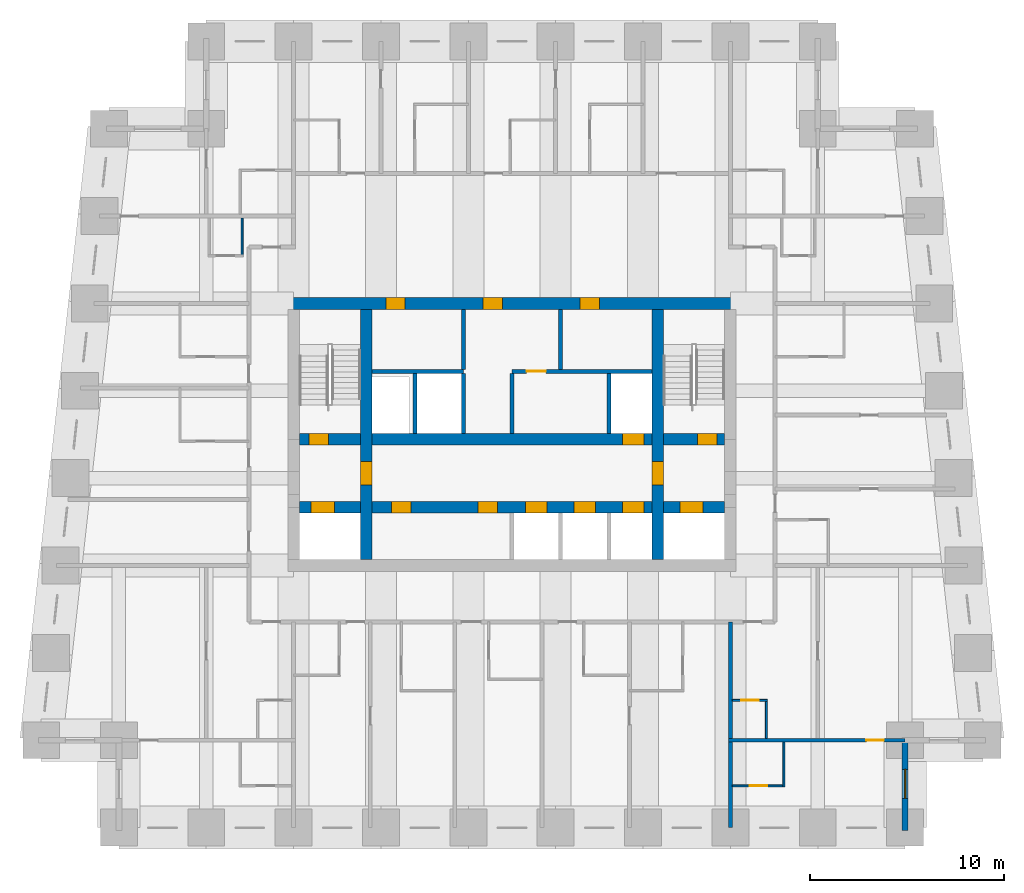
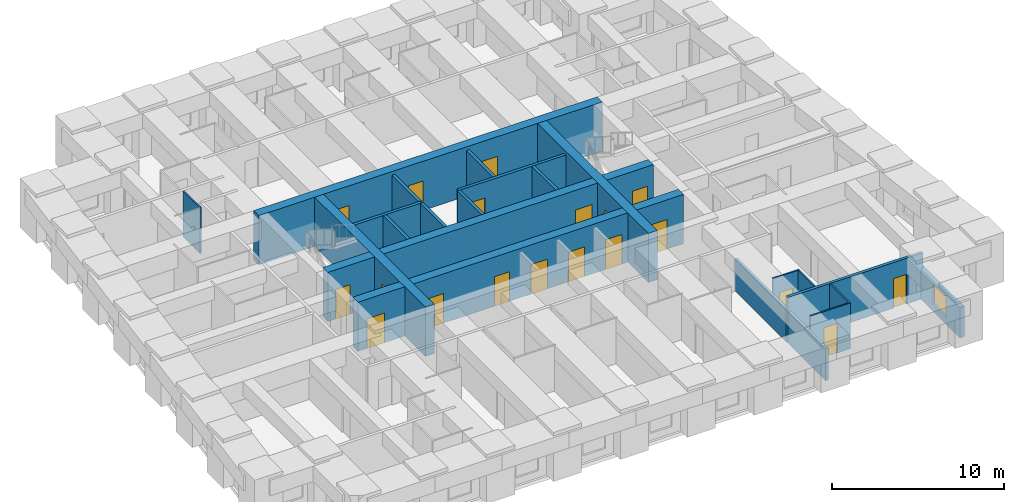
# One storey, part 4 of 8: 21 walls, 19 doors, 1 window, 20 openings.
"""IFC4 building model written with IfcOpenShell, lengths in metres."""

from ifc_helpers import new_model, si_unit, direction, frame, frame_2d, origin, place, context, subcontext, project, spatial, rectangle, extrude, material, layer, layer_set, type_object, element, fill, save


model = new_model("IFC4")

# Units and contexts
model_context = context("Model", 3, precision=1e-05, world=origin(), true_north=direction((0.0, 1.0)))
body_context = subcontext(model_context, "Body", "Model", "MODEL_VIEW")
ifc_project = project(units=[si_unit("LENGTHUNIT", "METRE"), si_unit("AREAUNIT", "SQUARE_METRE"), si_unit("VOLUMEUNIT", "CUBIC_METRE"), si_unit("PLANEANGLEUNIT", "RADIAN"), si_unit("MASSUNIT", "GRAM", prefix="KILO")], contexts=[model_context])

# Site, building, storey
site_placement = place(None, origin())
site = spatial("IfcSite", under=ifc_project, at=site_placement, CompositionType="ELEMENT")
building_placement = place(site_placement, origin())
building = spatial("IfcBuilding", under=site, at=building_placement, Name="Kilele Tower Hotel", CompositionType="ELEMENT")
storey_placement = place(building_placement, frame((0.0, 0.0, 135.39990234375)))
storey = spatial("IfcBuildingStorey", under=building, at=storey_placement, Name="L35", CompositionType="ELEMENT", Elevation=135.39990234375)

# Wall
ifc_material_1 = material(Name="Moisture-resistant board")
ifc_layer_1 = layer(ifc_material_1, 0.10009765625)
ifc_layer_set_1 = layer_set([ifc_layer_1], Name="Moisture-resistant board")
wall_type_1 = type_object("IfcWallType", Name="Bathroom partition 100", PredefinedType="PLUMBINGWALL", material=ifc_layer_set_1)
wall_1_placement = place(storey_placement, frame((37.85009765625, 4.60009765625, 0.0), z_axis=(0.0, 0.0, 1.0), x_axis=(0.0, 1.0, 0.0)))
element("IfcWall", 1, at=wall_1_placement, inside=storey, type_object=wall_type_1, Name="Bathroom partition 100 L35", PredefinedType="PLUMBINGWALL", context=body_context, shape_type="SweptSolid", body=[
    extrude(rectangle(XDim=2.0, YDim=0.10009765625, at=frame_2d((1.0, 0.0))), origin(), (0.0, 0.0, 1.0), 3.25),
])

# Wall, opening, door
wall_2_placement = place(storey_placement, frame((36.10009765625, 6.550048828125, 0.0), z_axis=(0.0, 0.0, 1.0), x_axis=(1.0, 0.0, 0.0)))
wall_2 = element("IfcWall", 2, at=wall_2_placement, inside=storey, type_object=wall_type_1, Name="Bathroom partition 100 L35", PredefinedType="PLUMBINGWALL", context=body_context, shape_type="SweptSolid", body=[
    extrude(rectangle(XDim=1.7998046875, YDim=0.10009765625, at=frame_2d((0.89990234375, 0.0))), origin(), (0.0, 0.0, 1.0), 3.25),
])
opening_1_placement = place(wall_2_placement, frame((0.449951171875, 0.0, 0.0)))
opening_1 = element("IfcOpeningElement", 3, at=opening_1_placement, cuts=wall_2, Name="Opening D2A", PredefinedType="OPENING", context=body_context, shape_type="SweptSolid", body=[
    extrude(rectangle(XDim=0.89990234375, YDim=2.10009765625, at=frame_2d((0.449951171875, 1.050048828125))), frame((0.0, 0.06005859375, 0.0), z_axis=(0.0, -1.0, 0.0), x_axis=(1.0, 0.0, 0.0)), (0.0, 0.0, 1.0), 0.1201171875),
])
ifc_material_2 = material(Name="Timber door leaf in hardwood frame", Category="wood")
door_type_1 = type_object("IfcDoorType", Name="Bathroom door 900", OperationType="SINGLE_SWING_LEFT", PredefinedType="DOOR", material=ifc_material_2)
door_1_placement = place(opening_1_placement, origin())
door_1 = element("IfcDoor", 4, at=door_1_placement, inside=storey, type_object=door_type_1, Name="Bathroom door 3520P", OperationType="SINGLE_SWING_LEFT", OverallHeight=2.10009765625, OverallWidth=0.89990234375, PredefinedType="DOOR", context=body_context, shape_type="SweptSolid", body=[
    extrude(rectangle(XDim=0.89990234375, YDim=2.10009765625, at=frame_2d((0.449951171875, 1.050048828125))), frame((0.0, 0.02490234375, 0.0), z_axis=(0.0, -1.0, 0.0), x_axis=(1.0, 0.0, 0.0)), (0.0, 0.0, 1.0), 0.050048828125),
])
fill(opening_1, door_1)

# Wall
wall_3_placement = place(storey_placement, frame((38.75, 4.39990234375, 0.0), z_axis=(0.0, 0.0, 1.0), x_axis=(0.0, -1.0, 0.0)))
element("IfcWall", 5, at=wall_3_placement, inside=storey, type_object=wall_type_1, Name="Bathroom partition 100 L35", PredefinedType="PLUMBINGWALL", context=body_context, shape_type="SweptSolid", body=[
    extrude(rectangle(XDim=2.2998046875, YDim=0.10009765625, at=frame_2d((1.14990234375, 0.0))), origin(), (0.0, 0.0, 1.0), 3.25),
])

# Wall, opening, door
wall_4_placement = place(storey_placement, frame((36.10009765625, 2.14990234375, 0.0), z_axis=(0.0, 0.0, 1.0), x_axis=(1.0, 0.0, 0.0)))
wall_4 = element("IfcWall", 6, at=wall_4_placement, inside=storey, type_object=wall_type_1, Name="Bathroom partition 100 L35", PredefinedType="PLUMBINGWALL", context=body_context, shape_type="SweptSolid", body=[
    extrude(rectangle(XDim=2.699951171875, YDim=0.10009765625, at=frame_2d((1.35009765625, 0.0))), origin(), (0.0, 0.0, 1.0), 3.25),
])
opening_2_placement = place(wall_4_placement, frame((1.7998046875, 0.0, 0.0), z_axis=(0.0, 0.0, 1.0), x_axis=(-1.0, 0.0, 0.0)))
opening_2 = element("IfcOpeningElement", 7, at=opening_2_placement, cuts=wall_4, Name="Opening D2A", PredefinedType="OPENING", context=body_context, shape_type="SweptSolid", body=[
    extrude(rectangle(XDim=0.89990234375, YDim=2.10009765625, at=frame_2d((0.449951171875, 1.050048828125))), frame((0.0, 0.06005859375, 0.0), z_axis=(0.0, -1.0, 0.0), x_axis=(1.0, 0.0, 0.0)), (0.0, 0.0, 1.0), 0.1201171875),
])
door_2_placement = place(opening_2_placement, origin())
door_2 = element("IfcDoor", 8, at=door_2_placement, inside=storey, type_object=door_type_1, Name="Bathroom door 3522B", OperationType="SINGLE_SWING_RIGHT", OverallHeight=2.10009765625, OverallWidth=0.89990234375, PredefinedType="DOOR", context=body_context, shape_type="SweptSolid", body=[
    extrude(rectangle(XDim=0.89990234375, YDim=2.10009765625, at=frame_2d((0.449951171875, 1.050048828125))), frame((0.0, 0.02490234375, 0.0), z_axis=(0.0, -1.0, 0.0), x_axis=(1.0, 0.0, 0.0)), (0.0, 0.0, 1.0), 0.050048828125),
])
fill(opening_2, door_2)

# Wall
wall_5_placement = place(storey_placement, frame((10.85009765625, 31.39990234375, 0.0), z_axis=(0.0, 0.0, 1.0), x_axis=(0.0, -1.0, 0.0)))
element("IfcWall", 9, at=wall_5_placement, inside=storey, type_object=wall_type_1, Name="Bathroom partition 100 L35", PredefinedType="PLUMBINGWALL", context=body_context, shape_type="SweptSolid", body=[
    extrude(rectangle(XDim=2.0, YDim=0.10009765625, at=frame_2d((1.0, 0.0))), origin(), (0.0, 0.0, 1.0), 3.25),
])

# Wall, openings, doors
ifc_material_3 = material(Name="Concrete C60/75", Category="concrete")
ifc_layer_2 = layer(ifc_material_3, 0.60009765625)
ifc_layer_set_2 = layer_set([ifc_layer_2], Name="Concrete C60/75")
wall_type_2 = type_object("IfcWallType", Name="Core wall 600 C60/75", PredefinedType="SHEAR", material=ifc_layer_set_2)
wall_6_placement = place(storey_placement, frame((36.300048828125, 27.0, 0.0), z_axis=(0.0, 0.0, 1.0), x_axis=(-1.0, 0.0, 0.0)))
wall_6 = element("IfcWall", 10, at=wall_6_placement, inside=storey, type_object=wall_type_2, Name="Core wall N L35", PredefinedType="SHEAR", context=body_context, shape_type="SweptSolid", body=[
    extrude(rectangle(XDim=23.10009765625, YDim=0.60009765625, at=frame_2d((11.550048828125, 0.0))), origin(), (0.0, 0.0, 1.0), 3.5),
])
opening_3_placement = place(wall_6_placement, frame((17.050048828125, 0.0, 0.0)))
opening_3 = element("IfcOpeningElement", 11, at=opening_3_placement, cuts=wall_6, Name="Opening D6", PredefinedType="OPENING", context=body_context, shape_type="SweptSolid", body=[
    extrude(rectangle(XDim=1.0, YDim=2.10009765625, at=frame_2d((0.5, 1.050048828125))), frame((0.0, 0.31005859375, 0.0), z_axis=(0.0, -1.0, 0.0), x_axis=(1.0, 0.0, 0.0)), (0.0, 0.0, 1.0), 0.6201171875),
])
opening_4_placement = place(wall_6_placement, frame((12.050048828125, 0.0, 0.0)))
opening_4 = element("IfcOpeningElement", 12, at=opening_4_placement, cuts=wall_6, Name="Opening D6", PredefinedType="OPENING", context=body_context, shape_type="SweptSolid", body=[
    extrude(rectangle(XDim=1.0, YDim=2.10009765625, at=frame_2d((0.5, 1.050048828125))), frame((0.0, 0.31005859375, 0.0), z_axis=(0.0, -1.0, 0.0), x_axis=(1.0, 0.0, 0.0)), (0.0, 0.0, 1.0), 0.6201171875),
])
opening_5_placement = place(wall_6_placement, frame((7.050048828125, 0.0, 0.0)))
opening_5 = element("IfcOpeningElement", 13, at=opening_5_placement, cuts=wall_6, Name="Opening D6", PredefinedType="OPENING", context=body_context, shape_type="SweptSolid", body=[
    extrude(rectangle(XDim=1.0, YDim=2.10009765625, at=frame_2d((0.5, 1.050048828125))), frame((0.0, 0.31005859375, 0.0), z_axis=(0.0, -1.0, 0.0), x_axis=(1.0, 0.0, 0.0)), (0.0, 0.0, 1.0), 0.6201171875),
])
ifc_material_4 = material(Name="Timber door leaf in hardwood frame", Category="wood")
door_type_2 = type_object("IfcDoorType", Name="Riser door 1000", OperationType="SINGLE_SWING_LEFT", PredefinedType="DOOR", material=ifc_material_4)
door_3_placement = place(opening_3_placement, origin())
door_3 = element("IfcDoor", 14, at=door_3_placement, inside=storey, type_object=door_type_2, Name="Service riser door L35", OperationType="SINGLE_SWING_RIGHT", OverallHeight=2.10009765625, OverallWidth=1.0, PredefinedType="DOOR", context=body_context, shape_type="SweptSolid", body=[
    extrude(rectangle(XDim=1.0, YDim=2.10009765625, at=frame_2d((0.5, 1.050048828125))), frame((0.0, 0.2998046875, 0.0), z_axis=(0.0, -1.0, 0.0), x_axis=(1.0, 0.0, 0.0)), (0.0, 0.0, 1.0), 0.599609375),
])
fill(opening_3, door_3)
door_4_placement = place(opening_4_placement, origin())
door_4 = element("IfcDoor", 15, at=door_4_placement, inside=storey, type_object=door_type_2, Name="Housekeeping linen room door L35", OperationType="SINGLE_SWING_RIGHT", OverallHeight=2.10009765625, OverallWidth=1.0, PredefinedType="DOOR", context=body_context, shape_type="SweptSolid", body=[
    extrude(rectangle(XDim=1.0, YDim=2.10009765625, at=frame_2d((0.5, 1.050048828125))), frame((0.0, 0.2998046875, 0.0), z_axis=(0.0, -1.0, 0.0), x_axis=(1.0, 0.0, 0.0)), (0.0, 0.0, 1.0), 0.599609375),
])
fill(opening_4, door_4)
door_5_placement = place(opening_5_placement, origin())
door_5 = element("IfcDoor", 16, at=door_5_placement, inside=storey, type_object=door_type_2, Name="Electrical riser door L35", OperationType="SINGLE_SWING_RIGHT", OverallHeight=2.10009765625, OverallWidth=1.0, PredefinedType="DOOR", context=body_context, shape_type="SweptSolid", body=[
    extrude(rectangle(XDim=1.0, YDim=2.10009765625, at=frame_2d((0.5, 1.050048828125))), frame((0.0, 0.2998046875, 0.0), z_axis=(0.0, -1.0, 0.0), x_axis=(1.0, 0.0, 0.0)), (0.0, 0.0, 1.0), 0.599609375),
])
fill(opening_5, door_5)

# Wall, opening, door
wall_7_placement = place(storey_placement, frame((17.25, 13.800048828125, 0.0), z_axis=(0.0, 0.0, 1.0), x_axis=(0.0, 1.0, 0.0)))
wall_7 = element("IfcWall", 17, at=wall_7_placement, inside=storey, type_object=wall_type_2, Name="Core wall IW L35", PredefinedType="SHEAR", context=body_context, shape_type="SweptSolid", body=[
    extrude(rectangle(XDim=12.89990234375, YDim=0.60009765625, at=frame_2d((6.449951171875, 0.0))), origin(), (0.0, 0.0, 1.0), 3.5),
])
opening_6_placement = place(wall_7_placement, frame((3.85009765625, 0.0, 0.0)))
opening_6 = element("IfcOpeningElement", 18, at=opening_6_placement, cuts=wall_7, Name="Opening D4", PredefinedType="OPENING", context=body_context, shape_type="SweptSolid", body=[
    extrude(rectangle(XDim=1.199951171875, YDim=2.10009765625, at=frame_2d((0.60009765625, 1.050048828125))), frame((0.0, 0.31005859375, 0.0), z_axis=(0.0, -1.0, 0.0), x_axis=(1.0, 0.0, 0.0)), (0.0, 0.0, 1.0), 0.6201171875),
])
ifc_material_5 = material(Name="Timber door leaf in hardwood frame", Category="wood")
door_type_3 = type_object("IfcDoorType", Name="Firefighting lobby door 1200", OperationType="SINGLE_SWING_LEFT", PredefinedType="DOOR", material=ifc_material_5)
door_6_placement = place(opening_6_placement, origin())
door_6 = element("IfcDoor", 19, at=door_6_placement, inside=storey, type_object=door_type_3, Name="Lobby door L35", OperationType="SINGLE_SWING_LEFT", OverallHeight=2.10009765625, OverallWidth=1.199951171875, PredefinedType="DOOR", context=body_context, shape_type="SweptSolid", body=[
    extrude(rectangle(XDim=1.199951171875, YDim=2.10009765625, at=frame_2d((0.60009765625, 1.050048828125))), frame((0.0, 0.2998046875, 0.0), z_axis=(0.0, -1.0, 0.0), x_axis=(1.0, 0.0, 0.0)), (0.0, 0.0, 1.0), 0.599609375),
])
fill(opening_6, door_6)

wall_8_placement = place(storey_placement, frame((32.25, 13.800048828125, 0.0), z_axis=(0.0, 0.0, 1.0), x_axis=(0.0, 1.0, 0.0)))
wall_8 = element("IfcWall", 20, at=wall_8_placement, inside=storey, type_object=wall_type_2, Name="Core wall IE L35", PredefinedType="SHEAR", context=body_context, shape_type="SweptSolid", body=[
    extrude(rectangle(XDim=12.89990234375, YDim=0.60009765625, at=frame_2d((6.449951171875, 0.0))), origin(), (0.0, 0.0, 1.0), 3.5),
])
opening_7_placement = place(wall_8_placement, frame((5.050048828125, 0.0, 0.0), z_axis=(0.0, 0.0, 1.0), x_axis=(-1.0, 0.0, 0.0)))
opening_7 = element("IfcOpeningElement", 21, at=opening_7_placement, cuts=wall_8, Name="Opening D4", PredefinedType="OPENING", context=body_context, shape_type="SweptSolid", body=[
    extrude(rectangle(XDim=1.199951171875, YDim=2.10009765625, at=frame_2d((0.60009765625, 1.050048828125))), frame((0.0, 0.31005859375, 0.0), z_axis=(0.0, -1.0, 0.0), x_axis=(1.0, 0.0, 0.0)), (0.0, 0.0, 1.0), 0.6201171875),
])
door_7_placement = place(opening_7_placement, origin())
door_7 = element("IfcDoor", 22, at=door_7_placement, inside=storey, type_object=door_type_3, Name="Lobby door L35", OperationType="SINGLE_SWING_RIGHT", OverallHeight=2.10009765625, OverallWidth=1.199951171875, PredefinedType="DOOR", context=body_context, shape_type="SweptSolid", body=[
    extrude(rectangle(XDim=1.199951171875, YDim=2.10009765625, at=frame_2d((0.60009765625, 1.050048828125))), frame((0.0, 0.2998046875, 0.0), z_axis=(0.0, -1.0, 0.0), x_axis=(1.0, 0.0, 0.0)), (0.0, 0.0, 1.0), 0.599609375),
])
fill(opening_7, door_7)

# Wall, openings, doors
wall_9_placement = place(storey_placement, frame((13.800048828125, 16.5, 0.0), z_axis=(0.0, 0.0, 1.0), x_axis=(1.0, 0.0, 0.0)))
wall_9 = element("IfcWall", 23, at=wall_9_placement, inside=storey, type_object=wall_type_2, Name="Core wall LS L35", PredefinedType="SHEAR", context=body_context, shape_type="SweptSolid", body=[
    extrude(rectangle(XDim=21.89990234375, YDim=0.60009765625, at=frame_2d((10.949951171875, 0.0))), origin(), (0.0, 0.0, 1.0), 3.5),
])
opening_8_placement = place(wall_9_placement, frame((11.64990234375, 0.0, 0.0)))
opening_8 = element("IfcOpeningElement", 24, at=opening_8_placement, cuts=wall_9, Name="Opening LD1", PredefinedType="OPENING", context=body_context, shape_type="SweptSolid", body=[
    extrude(rectangle(XDim=1.10009765625, YDim=2.10009765625, at=frame_2d((0.550048828125, 1.050048828125))), frame((0.0, 0.31005859375, 0.0), z_axis=(0.0, -1.0, 0.0), x_axis=(1.0, 0.0, 0.0)), (0.0, 0.0, 1.0), 0.6201171875),
])
opening_9_placement = place(wall_9_placement, frame((14.14990234375, 0.0, 0.0)))
opening_9 = element("IfcOpeningElement", 25, at=opening_9_placement, cuts=wall_9, Name="Opening LD1", PredefinedType="OPENING", context=body_context, shape_type="SweptSolid", body=[
    extrude(rectangle(XDim=1.10009765625, YDim=2.10009765625, at=frame_2d((0.550048828125, 1.050048828125))), frame((0.0, 0.31005859375, 0.0), z_axis=(0.0, -1.0, 0.0), x_axis=(1.0, 0.0, 0.0)), (0.0, 0.0, 1.0), 0.6201171875),
])
opening_10_placement = place(wall_9_placement, frame((16.64990234375, 0.0, 0.0)))
opening_10 = element("IfcOpeningElement", 26, at=opening_10_placement, cuts=wall_9, Name="Opening LD1", PredefinedType="OPENING", context=body_context, shape_type="SweptSolid", body=[
    extrude(rectangle(XDim=1.10009765625, YDim=2.10009765625, at=frame_2d((0.550048828125, 1.050048828125))), frame((0.0, 0.31005859375, 0.0), z_axis=(0.0, -1.0, 0.0), x_axis=(1.0, 0.0, 0.0)), (0.0, 0.0, 1.0), 0.6201171875),
])
opening_11_placement = place(wall_9_placement, frame((5.75, 0.0, 0.0), z_axis=(0.0, 0.0, 1.0), x_axis=(-1.0, 0.0, 0.0)))
opening_11 = element("IfcOpeningElement", 27, at=opening_11_placement, cuts=wall_9, Name="Opening D11", PredefinedType="OPENING", context=body_context, shape_type="SweptSolid", body=[
    extrude(rectangle(XDim=1.0, YDim=2.10009765625, at=frame_2d((0.5, 1.050048828125))), frame((0.0, 0.31005859375, 0.0), z_axis=(0.0, -1.0, 0.0), x_axis=(1.0, 0.0, 0.0)), (0.0, 0.0, 1.0), 0.6201171875),
])
opening_12_placement = place(wall_9_placement, frame((10.199951171875, 0.0, 0.0), z_axis=(0.0, 0.0, 1.0), x_axis=(-1.0, 0.0, 0.0)))
opening_12 = element("IfcOpeningElement", 28, at=opening_12_placement, cuts=wall_9, Name="Opening D11", PredefinedType="OPENING", context=body_context, shape_type="SweptSolid", body=[
    extrude(rectangle(XDim=1.0, YDim=2.10009765625, at=frame_2d((0.5, 1.050048828125))), frame((0.0, 0.31005859375, 0.0), z_axis=(0.0, -1.0, 0.0), x_axis=(1.0, 0.0, 0.0)), (0.0, 0.0, 1.0), 0.6201171875),
])
opening_13_placement = place(wall_9_placement, frame((0.60009765625, 0.0, 0.0)))
opening_13 = element("IfcOpeningElement", 29, at=opening_13_placement, cuts=wall_9, Name="Opening LD2", PredefinedType="OPENING", context=body_context, shape_type="SweptSolid", body=[
    extrude(rectangle(XDim=1.199951171875, YDim=2.10009765625, at=frame_2d((0.60009765625, 1.050048828125))), frame((0.0, 0.31005859375, 0.0), z_axis=(0.0, -1.0, 0.0), x_axis=(1.0, 0.0, 0.0)), (0.0, 0.0, 1.0), 0.6201171875),
])
opening_14_placement = place(wall_9_placement, frame((19.60009765625, 0.0, 0.0)))
opening_14 = element("IfcOpeningElement", 30, at=opening_14_placement, cuts=wall_9, Name="Opening LD2", PredefinedType="OPENING", context=body_context, shape_type="SweptSolid", body=[
    extrude(rectangle(XDim=1.199951171875, YDim=2.10009765625, at=frame_2d((0.60009765625, 1.050048828125))), frame((0.0, 0.31005859375, 0.0), z_axis=(0.0, -1.0, 0.0), x_axis=(1.0, 0.0, 0.0)), (0.0, 0.0, 1.0), 0.6201171875),
])
ifc_material_6 = material(Name="Timber door leaf in hardwood frame", Category="wood")
door_type_4 = type_object("IfcDoorType", Name="Core store door 1000", OperationType="SINGLE_SWING_LEFT", PredefinedType="DOOR", material=ifc_material_6)
door_8_placement = place(opening_11_placement, origin())
door_8 = element("IfcDoor", 31, at=door_8_placement, inside=storey, type_object=door_type_4, Name="Core room door L1 L35", OperationType="SINGLE_SWING_RIGHT", OverallHeight=2.10009765625, OverallWidth=1.0, PredefinedType="DOOR", context=body_context, shape_type="SweptSolid", body=[
    extrude(rectangle(XDim=1.0, YDim=2.10009765625, at=frame_2d((0.5, 1.050048828125))), frame((0.0, 0.2998046875, 0.0), z_axis=(0.0, -1.0, 0.0), x_axis=(1.0, 0.0, 0.0)), (0.0, 0.0, 1.0), 0.599609375),
])
fill(opening_11, door_8)
door_9_placement = place(opening_12_placement, origin())
door_9 = element("IfcDoor", 32, at=door_9_placement, inside=storey, type_object=door_type_4, Name="Core room door L3 L35", OperationType="SINGLE_SWING_LEFT", OverallHeight=2.10009765625, OverallWidth=1.0, PredefinedType="DOOR", context=body_context, shape_type="SweptSolid", body=[
    extrude(rectangle(XDim=1.0, YDim=2.10009765625, at=frame_2d((0.5, 1.050048828125))), frame((0.0, 0.2998046875, 0.0), z_axis=(0.0, -1.0, 0.0), x_axis=(1.0, 0.0, 0.0)), (0.0, 0.0, 1.0), 0.599609375),
])
fill(opening_12, door_9)
ifc_material_7 = material(Name="Steel lift landing door", Category="steel")
door_type_5 = type_object("IfcDoorType", Name="Firefighting lift landing door 1200", OperationType="SLIDING_TO_LEFT", PredefinedType="DOOR", material=ifc_material_7)
door_10_placement = place(opening_13_placement, origin())
door_10 = element("IfcDoor", 33, at=door_10_placement, inside=storey, type_object=door_type_5, Name="Landing door FFW L35", OperationType="SLIDING_TO_LEFT", OverallHeight=2.10009765625, OverallWidth=1.199951171875, PredefinedType="DOOR", context=body_context, shape_type="SweptSolid", body=[
    extrude(rectangle(XDim=1.199951171875, YDim=2.10009765625, at=frame_2d((0.60009765625, 1.050048828125))), frame((0.0, 0.2998046875, 0.0), z_axis=(0.0, -1.0, 0.0), x_axis=(1.0, 0.0, 0.0)), (0.0, 0.0, 1.0), 0.599609375),
])
fill(opening_13, door_10)
door_11_placement = place(opening_14_placement, origin())
door_11 = element("IfcDoor", 34, at=door_11_placement, inside=storey, type_object=door_type_5, Name="Landing door FFE L35", OperationType="SLIDING_TO_LEFT", OverallHeight=2.10009765625, OverallWidth=1.199951171875, PredefinedType="DOOR", context=body_context, shape_type="SweptSolid", body=[
    extrude(rectangle(XDim=1.199951171875, YDim=2.10009765625, at=frame_2d((0.60009765625, 1.050048828125))), frame((0.0, 0.2998046875, 0.0), z_axis=(0.0, -1.0, 0.0), x_axis=(1.0, 0.0, 0.0)), (0.0, 0.0, 1.0), 0.599609375),
])
fill(opening_14, door_11)
ifc_material_8 = material(Name="Steel lift landing door", Category="steel")
door_type_6 = type_object("IfcDoorType", Name="Lift landing door 1100", OperationType="SLIDING_TO_LEFT", PredefinedType="DOOR", material=ifc_material_8)
door_12_placement = place(opening_8_placement, origin())
door_12 = element("IfcDoor", 35, at=door_12_placement, inside=storey, type_object=door_type_6, Name="Landing door M1 L35", OperationType="SLIDING_TO_LEFT", OverallHeight=2.10009765625, OverallWidth=1.10009765625, PredefinedType="DOOR", context=body_context, shape_type="SweptSolid", body=[
    extrude(rectangle(XDim=1.10009765625, YDim=2.10009765625, at=frame_2d((0.550048828125, 1.050048828125))), frame((0.0, 0.2998046875, 0.0), z_axis=(0.0, -1.0, 0.0), x_axis=(1.0, 0.0, 0.0)), (0.0, 0.0, 1.0), 0.599609375),
])
fill(opening_8, door_12)
door_13_placement = place(opening_9_placement, origin())
door_13 = element("IfcDoor", 36, at=door_13_placement, inside=storey, type_object=door_type_6, Name="Landing door M2 L35", OperationType="SLIDING_TO_LEFT", OverallHeight=2.10009765625, OverallWidth=1.10009765625, PredefinedType="DOOR", context=body_context, shape_type="SweptSolid", body=[
    extrude(rectangle(XDim=1.10009765625, YDim=2.10009765625, at=frame_2d((0.550048828125, 1.050048828125))), frame((0.0, 0.2998046875, 0.0), z_axis=(0.0, -1.0, 0.0), x_axis=(1.0, 0.0, 0.0)), (0.0, 0.0, 1.0), 0.599609375),
])
fill(opening_9, door_13)
door_14_placement = place(opening_10_placement, origin())
door_14 = element("IfcDoor", 37, at=door_14_placement, inside=storey, type_object=door_type_6, Name="Landing door M3 L35", OperationType="SLIDING_TO_LEFT", OverallHeight=2.10009765625, OverallWidth=1.10009765625, PredefinedType="DOOR", context=body_context, shape_type="SweptSolid", body=[
    extrude(rectangle(XDim=1.10009765625, YDim=2.10009765625, at=frame_2d((0.550048828125, 1.050048828125))), frame((0.0, 0.2998046875, 0.0), z_axis=(0.0, -1.0, 0.0), x_axis=(1.0, 0.0, 0.0)), (0.0, 0.0, 1.0), 0.599609375),
])
fill(opening_10, door_14)

wall_10_placement = place(storey_placement, frame((13.800048828125, 20.0, 0.0), z_axis=(0.0, 0.0, 1.0), x_axis=(1.0, 0.0, 0.0)))
wall_10 = element("IfcWall", 38, at=wall_10_placement, inside=storey, type_object=wall_type_2, Name="Core wall LN L35", PredefinedType="SHEAR", context=body_context, shape_type="SweptSolid", body=[
    extrude(rectangle(XDim=21.89990234375, YDim=0.60009765625, at=frame_2d((10.949951171875, 0.0))), origin(), (0.0, 0.0, 1.0), 3.5),
])
opening_15_placement = place(wall_10_placement, frame((0.5, 0.0, 0.0)))
opening_15 = element("IfcOpeningElement", 39, at=opening_15_placement, cuts=wall_10, Name="Opening D5", PredefinedType="OPENING", context=body_context, shape_type="SweptSolid", body=[
    extrude(rectangle(XDim=1.0, YDim=2.10009765625, at=frame_2d((0.5, 1.050048828125))), frame((0.0, 0.31005859375, 0.0), z_axis=(0.0, -1.0, 0.0), x_axis=(1.0, 0.0, 0.0)), (0.0, 0.0, 1.0), 0.6201171875),
])
opening_16_placement = place(wall_10_placement, frame((20.5, 0.0, 0.0)))
opening_16 = element("IfcOpeningElement", 40, at=opening_16_placement, cuts=wall_10, Name="Opening D5", PredefinedType="OPENING", context=body_context, shape_type="SweptSolid", body=[
    extrude(rectangle(XDim=1.0, YDim=2.10009765625, at=frame_2d((0.5, 1.050048828125))), frame((0.0, 0.31005859375, 0.0), z_axis=(0.0, -1.0, 0.0), x_axis=(1.0, 0.0, 0.0)), (0.0, 0.0, 1.0), 0.6201171875),
])
opening_17_placement = place(wall_10_placement, frame((16.64990234375, 0.0, 0.0)))
opening_17 = element("IfcOpeningElement", 41, at=opening_17_placement, cuts=wall_10, Name="Opening LD1", PredefinedType="OPENING", context=body_context, shape_type="SweptSolid", body=[
    extrude(rectangle(XDim=1.10009765625, YDim=2.10009765625, at=frame_2d((0.550048828125, 1.050048828125))), frame((0.0, 0.31005859375, 0.0), z_axis=(0.0, -1.0, 0.0), x_axis=(1.0, 0.0, 0.0)), (0.0, 0.0, 1.0), 0.6201171875),
])
door_15_placement = place(opening_17_placement, origin())
door_15 = element("IfcDoor", 42, at=door_15_placement, inside=storey, type_object=door_type_6, Name="Landing door G1 L35", OperationType="SLIDING_TO_LEFT", OverallHeight=2.10009765625, OverallWidth=1.10009765625, PredefinedType="DOOR", context=body_context, shape_type="SweptSolid", body=[
    extrude(rectangle(XDim=1.10009765625, YDim=2.10009765625, at=frame_2d((0.550048828125, 1.050048828125))), frame((0.0, 0.2998046875, 0.0), z_axis=(0.0, -1.0, 0.0), x_axis=(1.0, 0.0, 0.0)), (0.0, 0.0, 1.0), 0.599609375),
])
fill(opening_17, door_15)
ifc_material_9 = material(Name="Timber door leaf in hardwood frame", Category="wood")
door_type_7 = type_object("IfcDoorType", Name="Stair door 1000", OperationType="SINGLE_SWING_LEFT", PredefinedType="DOOR", material=ifc_material_9)
door_16_placement = place(opening_15_placement, origin())
door_16 = element("IfcDoor", 43, at=door_16_placement, inside=storey, type_object=door_type_7, Name="Stair 1 door L35", OperationType="SINGLE_SWING_LEFT", OverallHeight=2.10009765625, OverallWidth=1.0, PredefinedType="DOOR", context=body_context, shape_type="SweptSolid", body=[
    extrude(rectangle(XDim=1.0, YDim=2.10009765625, at=frame_2d((0.5, 1.050048828125))), frame((0.0, 0.2998046875, 0.0), z_axis=(0.0, -1.0, 0.0), x_axis=(1.0, 0.0, 0.0)), (0.0, 0.0, 1.0), 0.599609375),
])
fill(opening_15, door_16)
door_17_placement = place(opening_16_placement, origin())
door_17 = element("IfcDoor", 44, at=door_17_placement, inside=storey, type_object=door_type_7, Name="Stair 2 door L35", OperationType="SINGLE_SWING_RIGHT", OverallHeight=2.10009765625, OverallWidth=1.0, PredefinedType="DOOR", context=body_context, shape_type="SweptSolid", body=[
    extrude(rectangle(XDim=1.0, YDim=2.10009765625, at=frame_2d((0.5, 1.050048828125))), frame((0.0, 0.2998046875, 0.0), z_axis=(0.0, -1.0, 0.0), x_axis=(1.0, 0.0, 0.0)), (0.0, 0.0, 1.0), 0.599609375),
])
fill(opening_16, door_17)

# Wall
ifc_material_10 = material(Name="Blockwork, plastered both sides", Category="masonry")
ifc_layer_3 = layer(ifc_material_10, 0.199951171875)
ifc_layer_set_3 = layer_set([ifc_layer_3], Name="Blockwork, plastered both sides")
wall_type_3 = type_object("IfcWallType", Name="Party wall 200", PredefinedType="PARTITIONING", material=ifc_layer_set_3)
wall_11_placement = place(storey_placement, frame((36.0, 10.60009765625, 0.0), z_axis=(0.0, 0.0, 1.0), x_axis=(0.0, -1.0, 0.0)))
element("IfcWall", 45, at=wall_11_placement, inside=storey, type_object=wall_type_3, Name="Party wall 200 L35", PredefinedType="PARTITIONING", context=body_context, shape_type="SweptSolid", body=[
    extrude(rectangle(XDim=10.60009765625, YDim=0.199951171875, at=frame_2d((5.300048828125, 0.0))), origin(), (0.0, 0.0, 1.0), 2.25),
])

# Wall, opening, door
wall_12_placement = place(storey_placement, frame((35.89990234375, 4.5, 0.0), z_axis=(0.0, 0.0, 1.0), x_axis=(1.0, 0.0, 0.0)))
wall_12 = element("IfcWall", 46, at=wall_12_placement, inside=storey, type_object=wall_type_3, Name="Party wall 200 L35", PredefinedType="PARTITIONING", context=body_context, shape_type="SweptSolid", body=[
    extrude(rectangle(XDim=9.10009765625, YDim=0.199951171875, at=frame_2d((4.550048828125, 0.0))), origin(), (0.0, 0.0, 1.0), 3.25),
])
opening_18_placement = place(wall_12_placement, frame((7.10009765625, 0.0, 0.0)))
opening_18 = element("IfcOpeningElement", 47, at=opening_18_placement, cuts=wall_12, Name="Opening D3", PredefinedType="OPENING", context=body_context, shape_type="SweptSolid", body=[
    extrude(rectangle(XDim=0.89990234375, YDim=2.10009765625, at=frame_2d((0.449951171875, 1.050048828125))), frame((0.0, 0.10986328125, 0.0), z_axis=(0.0, -1.0, 0.0), x_axis=(1.0, 0.0, 0.0)), (0.0, 0.0, 1.0), 0.219970703125),
])
ifc_material_11 = material(Name="Timber door leaf in hardwood frame", Category="wood")
door_type_8 = type_object("IfcDoorType", Name="Suite internal door 900", OperationType="SINGLE_SWING_LEFT", PredefinedType="DOOR", material=ifc_material_11)
door_18_placement = place(opening_18_placement, origin())
door_18 = element("IfcDoor", 48, at=door_18_placement, inside=storey, type_object=door_type_8, Name="Suite door 3522", OperationType="SINGLE_SWING_RIGHT", OverallHeight=2.10009765625, OverallWidth=0.89990234375, PredefinedType="DOOR", context=body_context, shape_type="SweptSolid", body=[
    extrude(rectangle(XDim=0.89990234375, YDim=2.10009765625, at=frame_2d((0.449951171875, 1.050048828125))), frame((0.0, 0.02490234375, 0.0), z_axis=(0.0, -1.0, 0.0), x_axis=(1.0, 0.0, 0.0)), (0.0, 0.0, 1.0), 0.050048828125),
])
fill(opening_18, door_18)

# Wall, opening, window
ifc_material_12 = material(Name="Concrete C40/50 precast", Category="concrete")
ifc_layer_4 = layer(ifc_material_12, 0.260009765625, Name="Precast backing", Category="LoadBearing")
ifc_material_13 = material(Name="Reconstituted stone finish", Category="masonry")
ifc_layer_5 = layer(ifc_material_13, 0.0400390625, Name="Face mix", Category="Finish")
ifc_layer_set_4 = layer_set([ifc_layer_4, ifc_layer_5], Name="Precast concrete C40/50, reconstituted stone finish")
wall_type_4 = type_object("IfcWallType", Name="Precast stone facade wall 300", PredefinedType="STANDARD", material=ifc_layer_set_4)
wall_13_placement = place(storey_placement, frame((45.0, -0.14990234375, 0.0), z_axis=(0.0, 0.0, 1.0), x_axis=(0.0, 1.0, 0.0)))
wall_13 = element("IfcWall", 49, at=wall_13_placement, inside=storey, type_object=wall_type_4, Name="Facade wall L35 edge 4", PredefinedType="STANDARD", context=body_context, shape_type="SweptSolid", body=[
    extrude(rectangle(XDim=4.7998046875, YDim=0.300048828125, at=frame_2d((2.39990234375, 0.0))), origin(), (0.0, 0.0, 1.0), 2.150146484375),
])
opening_19_placement = place(wall_13_placement, frame((1.64990234375, 0.0, 0.5)))
opening_19 = element("IfcOpeningElement", 50, at=opening_19_placement, cuts=wall_13, Name="Opening W2", PredefinedType="OPENING", context=body_context, shape_type="SweptSolid", body=[
    extrude(rectangle(XDim=1.5, YDim=1.5, at=frame_2d((0.75, 0.75))), frame((0.0, 0.159912109375, 0.0), z_axis=(0.0, -1.0, 0.0), x_axis=(1.0, 0.0, 0.0)), (0.0, 0.0, 1.0), 0.320068359375),
])
ifc_material_14 = material(Name="Aluminium frame, clear double glazing", Category="aluminium")
window_type = type_object("IfcWindowType", Name="Window W2 1500 x 1500", PartitioningType="SINGLE_PANEL", PredefinedType="WINDOW", material=ifc_material_14)
window_placement = place(opening_19_placement, origin())
window = element("IfcWindow", 51, at=window_placement, inside=storey, type_object=window_type, Name="Window L35", OverallHeight=1.5, OverallWidth=1.5, PartitioningType="SINGLE_PANEL", PredefinedType="WINDOW", context=body_context, shape_type="SweptSolid", body=[
    extrude(rectangle(XDim=1.5, YDim=1.5, at=frame_2d((0.75, 0.75))), frame((0.0, 0.030029296875, 0.0), z_axis=(0.0, -1.0, 0.0), x_axis=(1.0, 0.0, 0.0)), (0.0, 0.0, 1.0), 0.06005859375),
])
fill(opening_19, window)

# Walls
ifc_material_15 = material(Name="Blockwork, fire-rated", Category="masonry")
ifc_layer_6 = layer(ifc_material_15, 0.199951171875)
ifc_layer_set_5 = layer_set([ifc_layer_6], Name="Blockwork, fire-rated")
wall_type_5 = type_object("IfcWallType", Name="Shaft wall 200", PredefinedType="PARTITIONING", material=ifc_layer_set_5)
for number, where, z_axis, x_axis, name in (
    (52, (19.75, 20.300048828125, 0.0), (0.0, 0.0, 1.0), (0.0, 1.0, 0.0), "Shaft wall 200 L35"),
    (53, (22.25, 20.300048828125, 0.0), (0.0, 0.0, 1.0), (0.0, 1.0, 0.0), "Shaft wall 200 L35"),
    (54, (24.75, 20.300048828125, 0.0), (0.0, 0.0, 1.0), (0.0, 1.0, 0.0), "Shaft wall 200 L35"),
    (55, (29.75, 20.300048828125, 0.0), (0.0, 0.0, 1.0), (0.0, 1.0, 0.0), "Shaft wall 200 L35"),
):
    element("IfcWall", number, at=place(storey_placement, frame(where, z_axis=z_axis, x_axis=x_axis)), inside=storey, type_object=wall_type_5, Name=name, PredefinedType="PARTITIONING", context=body_context, shape_type="SweptSolid", body=[
        extrude(rectangle(XDim=3.099853515625, YDim=0.199951171875, at=frame_2d((1.5498046875, 0.0))), origin(), (0.0, 0.0, 1.0), 3.25),
    ])
wall_14_placement = place(storey_placement, frame((17.550048828125, 23.5, 0.0), z_axis=(0.0, 0.0, 1.0), x_axis=(1.0, 0.0, 0.0)))
element("IfcWall", 56, at=wall_14_placement, inside=storey, type_object=wall_type_5, Name="Shaft wall 200 L35", PredefinedType="PARTITIONING", context=body_context, shape_type="SweptSolid", body=[
    extrude(rectangle(XDim=4.699951171875, YDim=0.199951171875, at=frame_2d((2.35009765625, 0.0))), origin(), (0.0, 0.0, 1.0), 3.25),
])

# Wall, opening, door
wall_15_placement = place(storey_placement, frame((24.75, 23.5, 0.0), z_axis=(0.0, 0.0, 1.0), x_axis=(1.0, 0.0, 0.0)))
wall_15 = element("IfcWall", 57, at=wall_15_placement, inside=storey, type_object=wall_type_5, Name="Shaft wall 200 L35", PredefinedType="PARTITIONING", context=body_context, shape_type="SweptSolid", body=[
    extrude(rectangle(XDim=7.199951171875, YDim=0.199951171875, at=frame_2d((3.60009765625, 0.0))), origin(), (0.0, 0.0, 1.0), 3.25),
])
opening_20_placement = place(wall_15_placement, frame((0.75, 0.0, 0.0)))
opening_20 = element("IfcOpeningElement", 58, at=opening_20_placement, cuts=wall_15, Name="Opening D11", PredefinedType="OPENING", context=body_context, shape_type="SweptSolid", body=[
    extrude(rectangle(XDim=1.0, YDim=2.10009765625, at=frame_2d((0.5, 1.050048828125))), frame((0.0, 0.10986328125, 0.0), z_axis=(0.0, -1.0, 0.0), x_axis=(1.0, 0.0, 0.0)), (0.0, 0.0, 1.0), 0.219970703125),
])
door_19_placement = place(opening_20_placement, origin())
door_19 = element("IfcDoor", 59, at=door_19_placement, inside=storey, type_object=door_type_4, Name="Core room door H2", OperationType="SINGLE_SWING_RIGHT", OverallHeight=2.10009765625, OverallWidth=1.0, PredefinedType="DOOR", context=body_context, shape_type="SweptSolid", body=[
    extrude(rectangle(XDim=1.0, YDim=2.10009765625, at=frame_2d((0.5, 1.050048828125))), frame((0.0, 0.02490234375, 0.0), z_axis=(0.0, -1.0, 0.0), x_axis=(1.0, 0.0, 0.0)), (0.0, 0.0, 1.0), 0.050048828125),
])
fill(opening_20, door_19)

# Walls
for number, where, z_axis, x_axis, name in (
    (60, (22.25, 23.60009765625, 0.0), (0.0, 0.0, 1.0), (0.0, 1.0, 0.0), "Shaft wall 200 L35"),
    (61, (27.25, 23.60009765625, 0.0), (0.0, 0.0, 1.0), (0.0, 1.0, 0.0), "Shaft wall 200 L35"),
):
    element("IfcWall", number, at=place(storey_placement, frame(where, z_axis=z_axis, x_axis=x_axis)), inside=storey, type_object=wall_type_5, Name=name, PredefinedType="PARTITIONING", context=body_context, shape_type="SweptSolid", body=[
        extrude(rectangle(XDim=3.099853515625, YDim=0.199951171875, at=frame_2d((1.5498046875, 0.0))), origin(), (0.0, 0.0, 1.0), 3.25),
    ])

save(model, "model.ifc")
